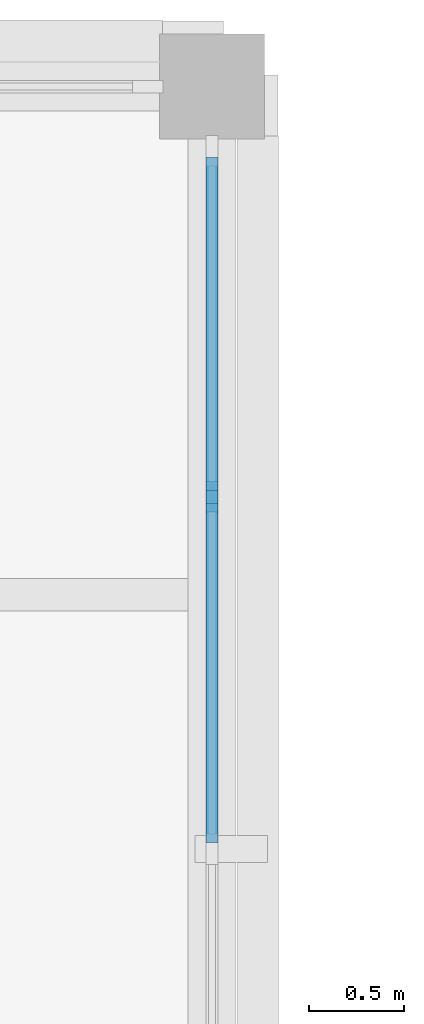
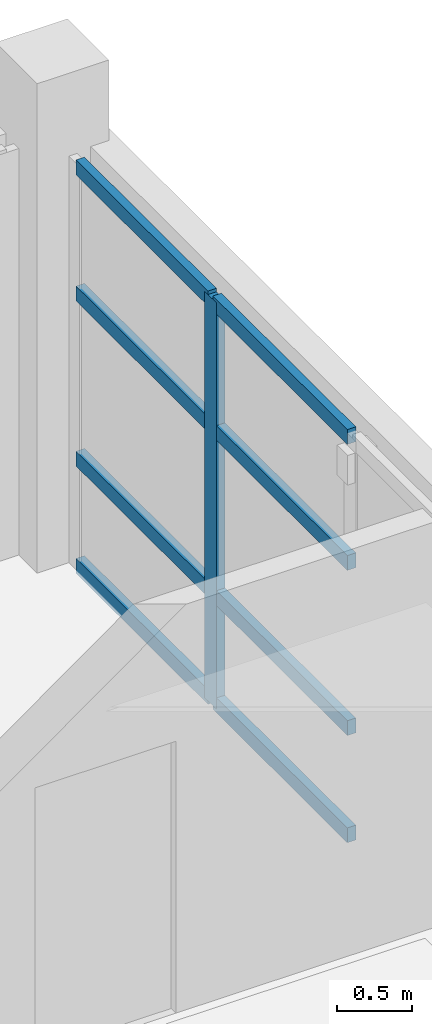
# One storey, part 22 of 92: 9 members, 1 element without a shape of its own.
"""IFC4 building model written with IfcOpenShell, lengths in metres."""

from ifc_helpers import new_model, si_unit, derived_unit, direction, frame, origin, origin_2d, place, context, subcontext, project, spatial, rectangle, extrude, material, layer, layer_set, material_profile, profile_set, type_object, element, aggregate, save


model = new_model("IFC4")

# Units and contexts
model_context = context("Model", 3, precision=1e-05, world=origin(), true_north=direction((0.0, 1.0)))
body_context = subcontext(model_context, "Body", "Model", "MODEL_VIEW")
ifc_project = project(units=[si_unit("LENGTHUNIT", "METRE"), si_unit("AREAUNIT", "SQUARE_METRE"), si_unit("VOLUMEUNIT", "CUBIC_METRE"), si_unit("PLANEANGLEUNIT", "RADIAN"), si_unit("MASSUNIT", "GRAM", prefix="KILO"), derived_unit("THERMALTRANSMITTANCEUNIT", [(si_unit("MASSUNIT", "GRAM", prefix="KILO"), 1), (si_unit("TIMEUNIT", "SECOND"), -3), (si_unit("THERMODYNAMICTEMPERATUREUNIT", "KELVIN"), -1)])], contexts=[model_context])

# Site, building, storey
site_placement = place(None, origin())
site = spatial("IfcSite", under=ifc_project, at=site_placement, CompositionType="ELEMENT")
building_placement = place(site_placement, origin())
building = spatial("IfcBuilding", under=site, at=building_placement, Name="Veyamyaing Civic Hall", CompositionType="ELEMENT")
storey_placement = place(building_placement, frame((0.0, 0.0, 17.820068359375)))
storey = spatial("IfcBuildingStorey", under=building, at=storey_placement, Name="L04", CompositionType="ELEMENT", Elevation=17.820068359375)

# Curtain wall, members
ifc_material = material(Name="Anodised aluminium 6063-T6", Category="aluminium")
ifc_layer = layer(ifc_material, 0.159912109375, Name="Anodised aluminium 6063-T6")
ifc_layer_set = layer_set([ifc_layer], Name="Anodised aluminium 6063-T6")
curtain_wall_type = type_object("IfcCurtainWallType", Name="CW-08", PredefinedType="NOTDEFINED", material=ifc_layer_set)
curtain_wall_placement = place(storey_placement, origin())
curtain_wall = element("IfcCurtainWall", 1, at=curtain_wall_placement, inside=storey, type_object=curtain_wall_type, Name="Unitized curtain wall CW-08 L04 E 15.8", PredefinedType="NOTDEFINED")
ifc_material_profile_1 = material_profile(ifc_material, rectangle(XDim=0.06494140625, YDim=0.159912109375, at=origin_2d()), Name="ALU-MUL-65X160")
ifc_profile_set_1 = profile_set([ifc_material_profile_1], Name="Anodised aluminium 6063-T6")
member_type_1 = type_object("IfcMemberType", Name="CWM-01", PredefinedType="MULLION", material=ifc_profile_set_1)
member_1_placement = place(storey_placement, frame((120.0, 61.847412109375, 0.0), z_axis=(0.0, 0.0, 1.0), x_axis=(-1.0, 0.0, 0.0)))
member_1 = element("IfcMember", 2, at=member_1_placement, type_object=member_type_1, Name="CW-08 mullion 4", PredefinedType="MULLION", context=body_context, shape_type="SweptSolid", body=[
    extrude(rectangle(XDim=0.06494140625, YDim=0.159912109375, at=origin_2d()), origin(), (0.0, 0.0, 1.0), 3.288818359375),
])
ifc_material_profile_2 = material_profile(ifc_material, rectangle(XDim=0.06494140625, YDim=0.1201171875, at=origin_2d()), Name="ALU-TRN-65X120")
ifc_profile_set_2 = profile_set([ifc_material_profile_2], Name="Anodised aluminium 6063-T6")
member_type_2 = type_object("IfcMemberType", Name="CWT-01", PredefinedType="USERDEFINED", material=ifc_profile_set_2)
member_2_placement = place(storey_placement, frame((120.0, 60.032470703125, 0.032470703125), z_axis=(0.0, 1.0, 0.0), x_axis=(-1.0, 0.0, 0.0)))
member_2 = element("IfcMember", 3, at=member_2_placement, type_object=member_type_2, Name="CW-08 transom 3.1", ObjectType="TRANSOM", PredefinedType="USERDEFINED", context=body_context, shape_type="SweptSolid", body=[
    extrude(rectangle(XDim=0.06494140625, YDim=0.1201171875, at=origin_2d()), origin(), (0.0, 0.0, 1.0), 1.782470703125),
])
member_3_placement = place(storey_placement, frame((120.0, 60.032470703125, 0.89990234375), z_axis=(0.0, 1.0, 0.0), x_axis=(-1.0, 0.0, 0.0)))
member_3 = element("IfcMember", 4, at=member_3_placement, type_object=member_type_2, Name="CW-08 transom 3.2", ObjectType="TRANSOM", PredefinedType="USERDEFINED", context=body_context, shape_type="SweptSolid", body=[
    extrude(rectangle(XDim=0.06494140625, YDim=0.1201171875, at=origin_2d()), origin(), (0.0, 0.0, 1.0), 1.782470703125),
])
member_4_placement = place(storey_placement, frame((120.0, 60.032470703125, 2.236328125), z_axis=(0.0, 1.0, 0.0), x_axis=(-1.0, 0.0, 0.0)))
member_4 = element("IfcMember", 5, at=member_4_placement, type_object=member_type_2, Name="CW-08 transom 3.3", ObjectType="TRANSOM", PredefinedType="USERDEFINED", context=body_context, shape_type="SweptSolid", body=[
    extrude(rectangle(XDim=0.06494140625, YDim=0.1201171875, at=origin_2d()), origin(), (0.0, 0.0, 1.0), 1.782470703125),
])
member_5_placement = place(storey_placement, frame((120.0, 60.032470703125, 3.25634765625), z_axis=(0.0, 1.0, 0.0), x_axis=(-1.0, 0.0, 0.0)))
member_5 = element("IfcMember", 6, at=member_5_placement, type_object=member_type_2, Name="CW-08 transom 3.4", ObjectType="TRANSOM", PredefinedType="USERDEFINED", context=body_context, shape_type="SweptSolid", body=[
    extrude(rectangle(XDim=0.06494140625, YDim=0.1201171875, at=origin_2d()), origin(), (0.0, 0.0, 1.0), 1.782470703125),
])
member_6_placement = place(storey_placement, frame((120.0, 61.8798828125, 0.032470703125), z_axis=(0.0, 1.0, 0.0), x_axis=(-1.0, 0.0, 0.0)))
member_6 = element("IfcMember", 7, at=member_6_placement, type_object=member_type_2, Name="CW-08 transom 4.1", ObjectType="TRANSOM", PredefinedType="USERDEFINED", context=body_context, shape_type="SweptSolid", body=[
    extrude(rectangle(XDim=0.06494140625, YDim=0.1201171875, at=origin_2d()), origin(), (0.0, 0.0, 1.0), 1.75),
])
member_7_placement = place(storey_placement, frame((120.0, 61.8798828125, 0.89990234375), z_axis=(0.0, 1.0, 0.0), x_axis=(-1.0, 0.0, 0.0)))
member_7 = element("IfcMember", 8, at=member_7_placement, type_object=member_type_2, Name="CW-08 transom 4.2", ObjectType="TRANSOM", PredefinedType="USERDEFINED", context=body_context, shape_type="SweptSolid", body=[
    extrude(rectangle(XDim=0.06494140625, YDim=0.1201171875, at=origin_2d()), origin(), (0.0, 0.0, 1.0), 1.75),
])
member_8_placement = place(storey_placement, frame((120.0, 61.8798828125, 2.236328125), z_axis=(0.0, 1.0, 0.0), x_axis=(-1.0, 0.0, 0.0)))
member_8 = element("IfcMember", 9, at=member_8_placement, type_object=member_type_2, Name="CW-08 transom 4.3", ObjectType="TRANSOM", PredefinedType="USERDEFINED", context=body_context, shape_type="SweptSolid", body=[
    extrude(rectangle(XDim=0.06494140625, YDim=0.1201171875, at=origin_2d()), origin(), (0.0, 0.0, 1.0), 1.75),
])
member_9_placement = place(storey_placement, frame((120.0, 61.8798828125, 3.25634765625), z_axis=(0.0, 1.0, 0.0), x_axis=(-1.0, 0.0, 0.0)))
member_9 = element("IfcMember", 10, at=member_9_placement, type_object=member_type_2, Name="CW-08 transom 4.4", ObjectType="TRANSOM", PredefinedType="USERDEFINED", context=body_context, shape_type="SweptSolid", body=[
    extrude(rectangle(XDim=0.06494140625, YDim=0.1201171875, at=origin_2d()), origin(), (0.0, 0.0, 1.0), 1.75),
])
aggregate(curtain_wall, [member_1, member_2, member_3, member_4, member_5, member_6, member_7, member_8, member_9])

save(model, "model.ifc")
